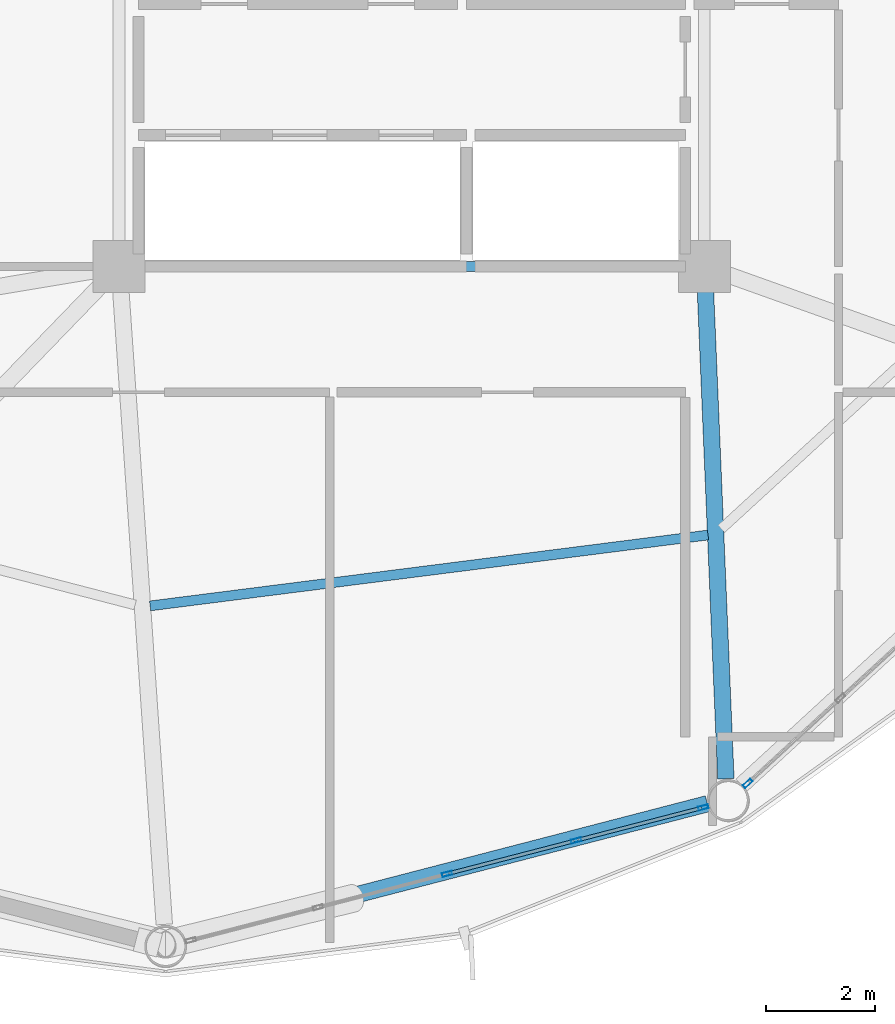
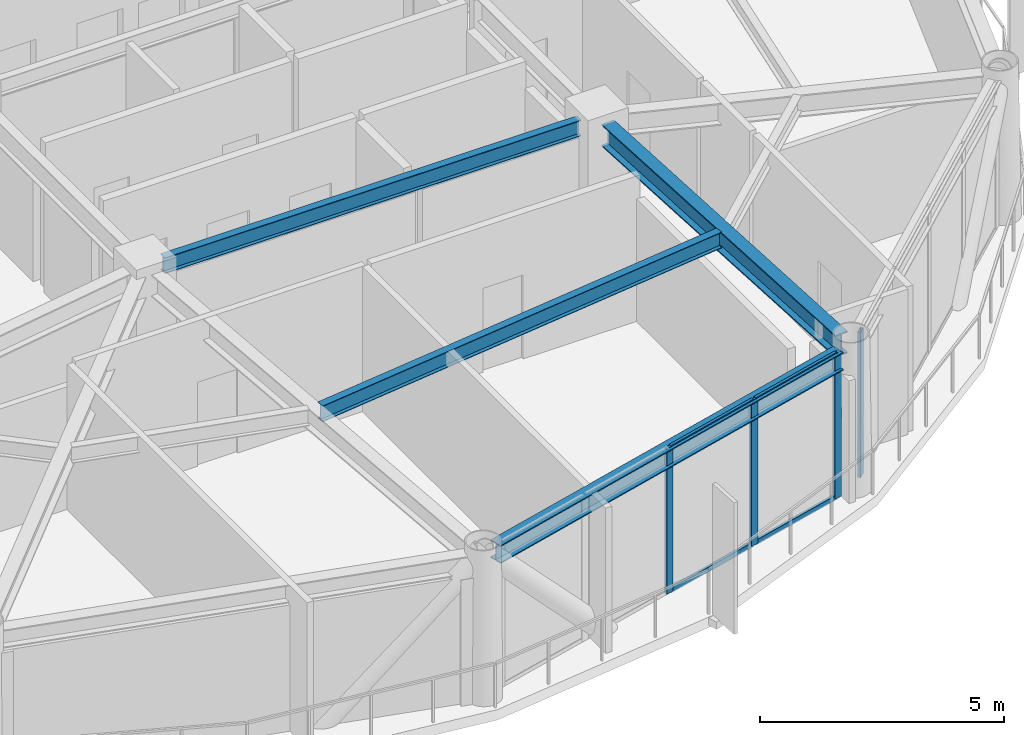
# One storey, part 8 of 26: 8 members, 4 beams, 2 elements without a shape of their own.
"""IFC4 building model written with IfcOpenShell, lengths in metres."""

from ifc_helpers import new_model, si_unit, direction, frame, origin, origin_2d, place, context, subcontext, project, spatial, hollow_rectangle, i_section, extrude, material, layer, layer_set, material_profile, profile_set, type_object, element, aggregate, save


model = new_model("IFC4")

# Units and contexts
model_context = context("Model", 3, precision=1e-05, world=origin(), true_north=direction((0.0, 1.0)))
body_context = subcontext(model_context, "Body", "Model", "MODEL_VIEW")
ifc_project = project(units=[si_unit("LENGTHUNIT", "METRE"), si_unit("AREAUNIT", "SQUARE_METRE"), si_unit("VOLUMEUNIT", "CUBIC_METRE"), si_unit("PLANEANGLEUNIT", "RADIAN"), si_unit("MASSUNIT", "GRAM", prefix="KILO")], contexts=[model_context])

# Site, building, storey
site_placement = place(None, origin())
site = spatial("IfcSite", under=ifc_project, at=site_placement, CompositionType="ELEMENT")
building_placement = place(site_placement, origin())
building = spatial("IfcBuilding", under=site, at=building_placement, Name="Varnakorn Sky Granary", CompositionType="ELEMENT")
storey_placement = place(building_placement, frame((0.0, 0.0, 153.89990234375)))
storey = spatial("IfcBuildingStorey", under=building, at=storey_placement, Name="L38", CompositionType="ELEMENT", Elevation=153.89990234375)

# Beams
ifc_material_1 = material(Name="Steel S355JR", Category="steel")
ifc_material_profile_1 = material_profile(ifc_material_1, i_section(OverallWidth=0.300048828125, OverallDepth=0.550048828125, WebThickness=0.014892578125, FlangeThickness=0.029052734375, at=origin_2d()), Name="HE 550 B")
ifc_profile_set_1 = profile_set([ifc_material_profile_1], Name="Steel S355JR")
beam_type_1 = type_object("IfcBeamType", Name="BM-RAD-Z3", PredefinedType="BEAM", material=ifc_profile_set_1)
beam_1_placement = place(storey_placement, frame((8.36767578125, -7.01953125, 3.364990234375), z_axis=(0.041825609567, -0.999124926315, 0.0), x_axis=(0.999124926315, 0.041825609567, 0.0)))
element("IfcBeam", 1, at=beam_1_placement, inside=storey, type_object=beam_type_1, Name="Radial Floor Girder RG11 L38", PredefinedType="BEAM", context=body_context, shape_type="SweptSolid", body=[
    extrude(i_section(OverallWidth=0.300048828125, OverallDepth=0.550048828125, WebThickness=0.014892578125, FlangeThickness=0.029052734375, at=origin_2d()), origin(), (0.0, 0.0, 1.0), 8.9541015625),
])
ifc_material_profile_2 = material_profile(ifc_material_1, i_section(OverallWidth=0.179931640625, OverallDepth=0.39990234375, WebThickness=0.008544921875, FlangeThickness=0.013427734375, at=origin_2d()), Name="IPE 400")
ifc_profile_set_2 = profile_set([ifc_material_profile_2], Name="Steel S355JR")
beam_type_2 = type_object("IfcBeamType", Name="BM-SEC-Z3", PredefinedType="BEAM", material=ifc_profile_set_2)
beam_2_placement = place(storey_placement, frame((-1.7841796875, -12.805908203125, 3.440185546875), z_axis=(0.992028971448, 0.126009998839, 0.0), x_axis=(-0.126009998839, 0.992028971448, 0.0)))
element("IfcBeam", 2, at=beam_2_placement, inside=storey, type_object=beam_type_2, Name="Secondary Floor Chord Beam MSB10 L38", PredefinedType="BEAM", context=body_context, shape_type="SweptSolid", body=[
    extrude(i_section(OverallWidth=0.179931640625, OverallDepth=0.39990234375, WebThickness=0.008544921875, FlangeThickness=0.013427734375, at=origin_2d()), origin(), (0.0, 0.0, 1.0), 10.2822265625),
])
beam_3_placement = place(storey_placement, frame((-1.929931640625, -6.60009765625, 3.440185546875), z_axis=(1.0, 0.0, 0.0), x_axis=(0.0, 1.0, 0.0)))
element("IfcBeam", 3, at=beam_3_placement, inside=storey, type_object=beam_type_2, Name="Core Spine Framing Beam 6 L38", PredefinedType="BEAM", context=body_context, shape_type="SweptSolid", body=[
    extrude(i_section(OverallWidth=0.179931640625, OverallDepth=0.39990234375, WebThickness=0.008544921875, FlangeThickness=0.013427734375, at=origin_2d()), origin(), (0.0, 0.0, 1.0), 9.85986328125),
])
ifc_material_profile_3 = material_profile(ifc_material_1, i_section(OverallWidth=0.300048828125, OverallDepth=0.449951171875, WebThickness=0.013916015625, FlangeThickness=0.02587890625, at=origin_2d()), Name="HE 450 B")
ifc_profile_set_3 = profile_set([ifc_material_profile_3], Name="Steel S355JR")
beam_type_3 = type_object("IfcBeamType", Name="BM-SPD-Z3", PredefinedType="SPANDREL", material=ifc_profile_set_3)
beam_4_placement = place(storey_placement, frame((-1.145751953125, -18.901123046875, 3.4150390625), z_axis=(0.967945219838, 0.251161405061, 0.0), x_axis=(-0.251161405061, 0.967945219838, 0.0)))
element("IfcBeam", 4, at=beam_4_placement, inside=storey, type_object=beam_type_3, Name="Perimeter Spandrel Ring Beam RB10 L38", PredefinedType="SPANDREL", context=body_context, shape_type="SweptSolid", body=[
    extrude(i_section(OverallWidth=0.300048828125, OverallDepth=0.449951171875, WebThickness=0.013916015625, FlangeThickness=0.02587890625, at=origin_2d()), origin(), (0.0, 0.0, 1.0), 9.865234375),
])

# Curtain wall, members
ifc_material_2 = material(Name="Anodised Bronze Aluminium Alloy 6063-T6", Category="aluminium")
ifc_layer = layer(ifc_material_2, 0.179931640625, Name="Anodised Bronze Aluminium Alloy 6063-T6")
ifc_layer_set = layer_set([ifc_layer], Name="Anodised Bronze Aluminium Alloy 6063-T6")
curtain_wall_type = type_object("IfcCurtainWallType", Name="CW-FRM-2", PredefinedType="USERDEFINED", material=ifc_layer_set)
curtain_wall_1_placement = place(storey_placement, origin())
curtain_wall_1 = element("IfcCurtainWall", 5, at=curtain_wall_1_placement, inside=storey, type_object=curtain_wall_type, Name="Unitised Curtain Wall CW4 CW-L38-B10", ObjectType="CURTAIN WALL", PredefinedType="USERDEFINED")
ifc_material_profile_4 = material_profile(ifc_material_2, hollow_rectangle(XDim=0.070068359375, YDim=0.18505859375, WallThickness=0.00390625, at=origin_2d()), Name="ALU MULL 70x185")
ifc_profile_set_4 = profile_set([ifc_material_profile_4], Name="Anodised Bronze Aluminium Alloy 6063-T6")
member_type_1 = type_object("IfcMemberType", Name="CW-FRM-2-MULL", PredefinedType="MULLION", material=ifc_profile_set_4)
member_1_placement = place(storey_placement, frame((8.330322265625, -16.49169921875, 0.0), z_axis=(0.0, 0.0, 1.0), x_axis=(0.250935104668, -0.968003911792, 0.0)))
member_1 = element("IfcMember", 6, at=member_1_placement, type_object=member_type_1, Name="CW4 mullion 1", PredefinedType="MULLION", context=body_context, shape_type="SweptSolid", body=[
    extrude(hollow_rectangle(XDim=0.070068359375, YDim=0.18505859375, WallThickness=0.00390625, at=origin_2d()), origin(), (0.0, 0.0, 1.0), 3.64013671875),
])
member_2_placement = place(storey_placement, frame((6.0048828125, -17.094482421875, 0.0), z_axis=(0.0, 0.0, 1.0), x_axis=(0.250935104668, -0.968003911792, 0.0)))
member_2 = element("IfcMember", 7, at=member_2_placement, type_object=member_type_1, Name="CW4 mullion 2", PredefinedType="MULLION", context=body_context, shape_type="SweptSolid", body=[
    extrude(hollow_rectangle(XDim=0.070068359375, YDim=0.18505859375, WallThickness=0.00390625, at=origin_2d()), origin(), (0.0, 0.0, 1.0), 3.64013671875),
])
member_3_placement = place(storey_placement, frame((3.6455078125, -17.7060546875, 0.0), z_axis=(0.0, 0.0, 1.0), x_axis=(0.250935104668, -0.968003911792, 0.0)))
member_3 = element("IfcMember", 8, at=member_3_placement, type_object=member_type_1, Name="CW4 mullion 3", PredefinedType="MULLION", context=body_context, shape_type="SweptSolid", body=[
    extrude(hollow_rectangle(XDim=0.070068359375, YDim=0.18505859375, WallThickness=0.00390625, at=origin_2d()), origin(), (0.0, 0.0, 1.0), 3.64013671875),
])

# Curtain wall, member
curtain_wall_2_placement = place(storey_placement, origin())
curtain_wall_2 = element("IfcCurtainWall", 9, at=curtain_wall_2_placement, inside=storey, type_object=curtain_wall_type, Name="Unitised Curtain Wall CW4 CW-L38-B11", ObjectType="CURTAIN WALL", PredefinedType="USERDEFINED")
member_4_placement = place(storey_placement, frame((9.1416015625, -16.05029296875, 0.0), z_axis=(0.0, 0.0, 1.0), x_axis=(0.676471797865, -0.736468537477, 0.0)))
member_4 = element("IfcMember", 10, at=member_4_placement, type_object=member_type_1, Name="CW4 mullion 5", PredefinedType="MULLION", context=body_context, shape_type="SweptSolid", body=[
    extrude(hollow_rectangle(XDim=0.070068359375, YDim=0.18505859375, WallThickness=0.00390625, at=origin_2d()), origin(), (0.0, 0.0, 1.0), 3.64013671875),
])
aggregate(curtain_wall_2, [member_4])

# Member
ifc_material_profile_5 = material_profile(ifc_material_2, hollow_rectangle(XDim=0.06494140625, YDim=0.1201171875, WallThickness=0.00341796875, at=origin_2d()), Name="ALU TRAN 65x120")
ifc_profile_set_5 = profile_set([ifc_material_profile_5], Name="Anodised Bronze Aluminium Alloy 6063-T6")
member_type_2 = type_object("IfcMemberType", Name="CW-FRM-2-TRAN", PredefinedType="USERDEFINED", material=ifc_profile_set_5)
member_5_placement = place(storey_placement, frame((8.29638671875, -16.50048828125, 0.03271484375), z_axis=(-0.968012906541, -0.250900404085, 0.0), x_axis=(0.250900404085, -0.968012906541, 0.0)))
member_5 = element("IfcMember", 11, at=member_5_placement, type_object=member_type_2, Name="CW4 transom 1.1", ObjectType="TRANSOM", PredefinedType="USERDEFINED", context=body_context, shape_type="SweptSolid", body=[
    extrude(hollow_rectangle(XDim=0.06494140625, YDim=0.1201171875, WallThickness=0.00341796875, at=origin_2d()), origin(), (0.0, 0.0, 1.0), 2.33251953125),
])

member_6_placement = place(storey_placement, frame((8.29638671875, -16.50048828125, 3.607666015625), z_axis=(-0.968012906541, -0.250900404085, 0.0), x_axis=(0.250900404085, -0.968012906541, 0.0)))
member_6 = element("IfcMember", 12, at=member_6_placement, type_object=member_type_2, Name="CW4 transom 1.2", ObjectType="TRANSOM", PredefinedType="USERDEFINED", context=body_context, shape_type="SweptSolid", body=[
    extrude(hollow_rectangle(XDim=0.06494140625, YDim=0.1201171875, WallThickness=0.00341796875, at=origin_2d()), origin(), (0.0, 0.0, 1.0), 2.33251953125),
])

member_7_placement = place(storey_placement, frame((5.970947265625, -17.103271484375, 0.03271484375), z_axis=(-0.968007104624, -0.250922787721, 0.0), x_axis=(0.250922787721, -0.968007104624, 0.0)))
member_7 = element("IfcMember", 13, at=member_7_placement, type_object=member_type_2, Name="CW4 transom 2.1", ObjectType="TRANSOM", PredefinedType="USERDEFINED", context=body_context, shape_type="SweptSolid", body=[
    extrude(hollow_rectangle(XDim=0.06494140625, YDim=0.1201171875, WallThickness=0.00341796875, at=origin_2d()), origin(), (0.0, 0.0, 1.0), 2.3671875),
])

member_8_placement = place(storey_placement, frame((5.970947265625, -17.103271484375, 3.607666015625), z_axis=(-0.968007104624, -0.250922787721, 0.0), x_axis=(0.250922787721, -0.968007104624, 0.0)))
member_8 = element("IfcMember", 14, at=member_8_placement, type_object=member_type_2, Name="CW4 transom 2.2", ObjectType="TRANSOM", PredefinedType="USERDEFINED", context=body_context, shape_type="SweptSolid", body=[
    extrude(hollow_rectangle(XDim=0.06494140625, YDim=0.1201171875, WallThickness=0.00341796875, at=origin_2d()), origin(), (0.0, 0.0, 1.0), 2.3671875),
])

aggregate(curtain_wall_1, [member_1, member_2, member_3, member_5, member_6, member_7, member_8])

save(model, "model.ifc")
